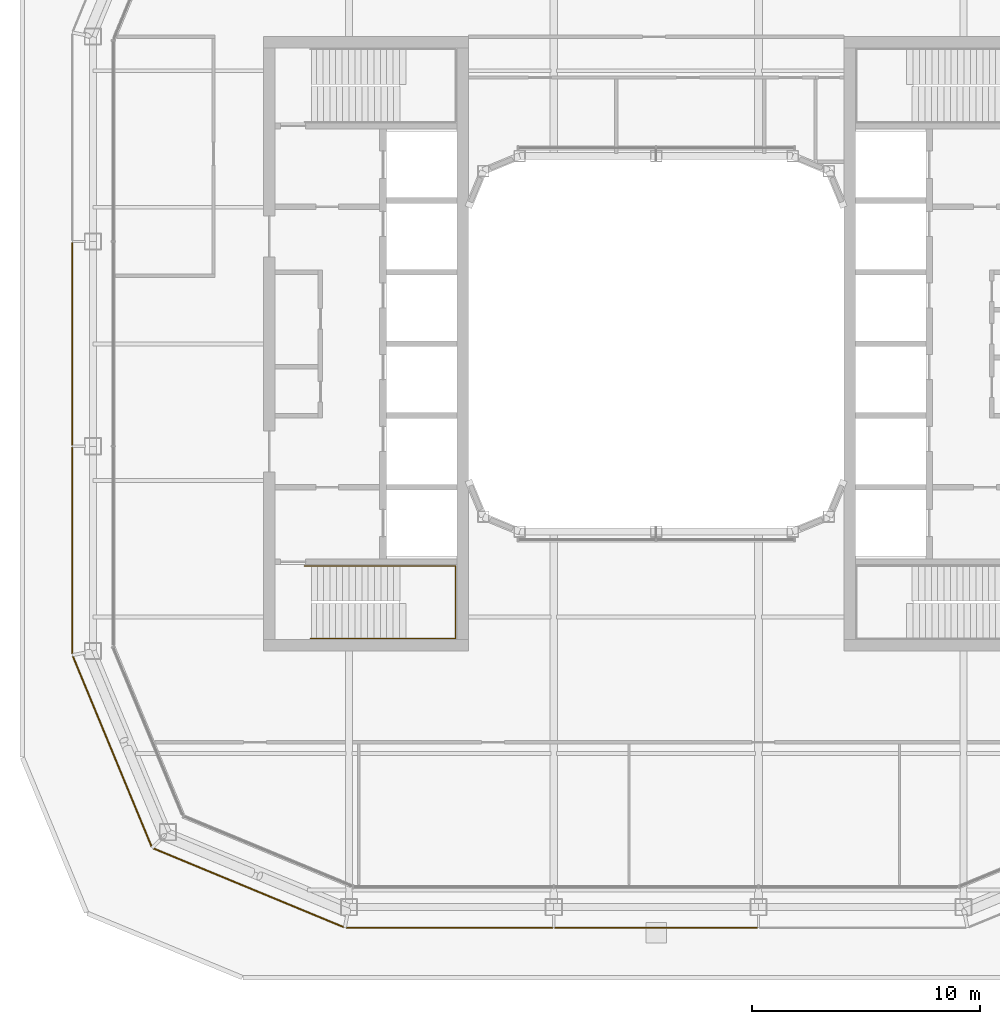
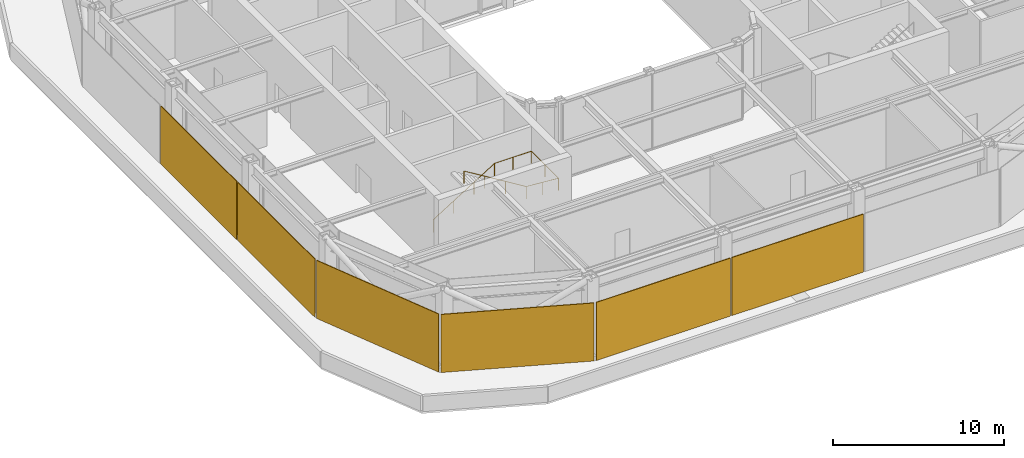
# One storey, part 14 of 17: 6 coverings, 1 railing.
"""IFC4 building model written with IfcOpenShell, lengths in metres."""

from ifc_helpers import new_model, si_unit, direction, frame, origin, origin_2d, place, context, subcontext, project, spatial, rectangle, circle, extrude, material, layer, layer_set, type_object, element, save


model = new_model("IFC4")

# Units and contexts
model_context = context("Model", 3, precision=1e-05, world=origin(), true_north=direction((0.0, 1.0)))
body_context = subcontext(model_context, "Body", "Model", "MODEL_VIEW")
ifc_project = project(units=[si_unit("LENGTHUNIT", "METRE"), si_unit("AREAUNIT", "SQUARE_METRE"), si_unit("VOLUMEUNIT", "CUBIC_METRE"), si_unit("PLANEANGLEUNIT", "RADIAN"), si_unit("MASSUNIT", "GRAM", prefix="KILO")], contexts=[model_context])

# Site, building, storey
site_placement = place(None, origin())
site = spatial("IfcSite", under=ifc_project, at=site_placement, CompositionType="ELEMENT")
building_placement = place(site_placement, origin())
building = spatial("IfcBuilding", under=site, at=building_placement, Name="Siwar Civic Tower", CompositionType="ELEMENT")
storey_placement = place(building_placement, frame((0.0, 0.0, 284.199951171875)))
storey = spatial("IfcBuildingStorey", under=building, at=storey_placement, Name="L61", CompositionType="ELEMENT", Elevation=284.199951171875)

# Railing
ifc_material_1 = material(Name="Stainless steel", Category="steel")
railing_type = type_object("IfcRailingType", Name="CORE-STAIR-HANDRAIL", PredefinedType="HANDRAIL", material=ifc_material_1)
railing_placement = place(storey_placement, frame((-15.449951171875, -9.758056640625, 0.171875)))
element("IfcRailing", 1, at=railing_placement, inside=storey, type_object=railing_type, Name="Stair handrail ST2", PredefinedType="HANDRAIL", context=body_context, shape_type="SweptSolid", body=[
    extrude(circle(Radius=0.02001953125, at=origin_2d()), frame((0.0, 0.0, 0.8798828125), z_axis=(0.849426996612, 0.0, 0.527706146854), x_axis=(0.0, 1.0, 0.0)), (0.0, 0.0, 1.0), 4.885498046875),
    extrude(circle(Radius=0.02001953125, at=origin_2d()), frame((4.14990234375, 0.0, 3.4580078125), z_axis=(1.0, 0.0, 0.0), x_axis=(0.0, 1.0, 0.0)), (0.0, 0.0, 1.0), 2.491943359375),
    extrude(circle(Radius=0.02001953125, at=origin_2d()), frame((6.641845703125, 0.0, 3.4580078125), z_axis=(0.0, -1.0, 0.0), x_axis=(1.0, 0.0, 0.0)), (0.0, 0.0, 1.0), 3.183837890625),
    extrude(circle(Radius=0.02001953125, at=origin_2d()), frame((6.641845703125, -3.183837890625, 3.4580078125), z_axis=(-0.996939735461, 0.0, 0.078173933367), x_axis=(0.0, -1.0, 0.0)), (0.0, 0.0, 1.0), 2.19873046875),
    extrude(circle(Radius=0.02001953125, at=origin_2d()), frame((4.449951171875, -3.183837890625, 3.6298828125), z_axis=(-0.852242915053, 0.0, 0.523146264196), x_axis=(0.0, -1.0, 0.0)), (0.0, 0.0, 1.0), 4.92822265625),
    extrude(circle(Radius=0.02001953125, at=origin_2d()), origin(), (0.0, 0.0, 1.0), 0.85986328125),
    extrude(circle(Radius=0.02001953125, at=origin_2d()), frame((1.38330078125, 0.0, 0.859375)), (0.0, 0.0, 1.0), 0.85986328125),
    extrude(circle(Radius=0.02001953125, at=origin_2d()), frame((2.7666015625, 0.0, 1.71875)), (0.0, 0.0, 1.0), 0.85986328125),
    extrude(circle(Radius=0.02001953125, at=origin_2d()), frame((4.14990234375, 0.0, 2.578125)), (0.0, 0.0, 1.0), 0.85986328125),
    extrude(circle(Radius=0.02001953125, at=origin_2d()), frame((5.39599609375, 0.0, 2.578125)), (0.0, 0.0, 1.0), 0.85986328125),
    extrude(circle(Radius=0.02001953125, at=origin_2d()), frame((6.641845703125, 0.0, 2.578125)), (0.0, 0.0, 1.0), 0.85986328125),
    extrude(circle(Radius=0.02001953125, at=origin_2d()), frame((6.641845703125, -1.591796875, 2.578125)), (0.0, 0.0, 1.0), 0.85986328125),
    extrude(circle(Radius=0.02001953125, at=origin_2d()), frame((6.641845703125, -3.183837890625, 2.578125)), (0.0, 0.0, 1.0), 0.85986328125),
    extrude(circle(Radius=0.02001953125, at=origin_2d()), frame((5.5458984375, -3.183837890625, 2.6640625)), (0.0, 0.0, 1.0), 0.85986328125),
    extrude(circle(Radius=0.02001953125, at=origin_2d()), frame((4.449951171875, -3.183837890625, 2.75)), (0.0, 0.0, 1.0), 0.85986328125),
    extrude(circle(Radius=0.02001953125, at=origin_2d()), frame((3.050048828125, -3.183837890625, 3.609375)), (0.0, 0.0, 1.0), 0.85986328125),
    extrude(circle(Radius=0.02001953125, at=origin_2d()), frame((1.64990234375, -3.183837890625, 4.46875)), (0.0, 0.0, 1.0), 0.85986328125),
    extrude(circle(Radius=0.02001953125, at=origin_2d()), frame((0.25, -3.183837890625, 5.328125)), (0.0, 0.0, 1.0), 0.85986328125),
])

# Coverings
ifc_material_2 = material(Name="Perforated aluminium cassette, pale metal", Category="aluminium")
ifc_layer_1 = layer(ifc_material_2, 0.050048828125)
ifc_layer_set_1 = layer_set([ifc_layer_1], Name="Perforated aluminium cassette, pale metal")
covering_type_1 = type_object("IfcCoveringType", Name="ENV-OUTER SKIN OS-3", PredefinedType="CLADDING", material=ifc_layer_set_1)
covering_1_placement = place(storey_placement, frame((-25.64990234375, 0.0, 0.0), z_axis=(0.0, 0.0, 1.0), x_axis=(0.0, -1.0, 0.0)))
element("IfcCovering", 2, at=covering_1_placement, inside=storey, type_object=covering_type_1, Name="OUTER SKIN OS-3 W 2", PredefinedType="CLADDING", context=body_context, shape_type="SweptSolid", body=[
    extrude(rectangle(XDim=8.89990234375, YDim=0.050048828125, at=origin_2d()), origin(), (0.0, 0.0, 1.0), 4.14990234375),
])
covering_2_placement = place(storey_placement, frame((-25.64990234375, -9.07958984375, 0.0), z_axis=(0.0, 0.0, 1.0), x_axis=(0.0, -1.0, 0.0)))
element("IfcCovering", 3, at=covering_2_placement, inside=storey, type_object=covering_type_1, Name="OUTER SKIN OS-3 W 3", PredefinedType="CLADDING", context=body_context, shape_type="SweptSolid", body=[
    extrude(rectangle(XDim=9.05908203125, YDim=0.050048828125, at=origin_2d()), origin(), (0.0, 0.0, 1.0), 4.14990234375),
])
ifc_material_3 = material(Name="Perforated aluminium cassette, pale metal", Category="aluminium")
ifc_layer_2 = layer(ifc_material_3, 0.054931640625)
ifc_layer_set_2 = layer_set([ifc_layer_2], Name="Perforated aluminium cassette, pale metal")
covering_type_2 = type_object("IfcCoveringType", Name="ENV-OUTER SKIN OS-4", PredefinedType="CLADDING", material=ifc_layer_set_2)
covering_3_placement = place(storey_placement, frame((-9.07958984375, -25.64990234375, 0.0), z_axis=(0.0, 0.0, 1.0), x_axis=(1.0, 0.0, 0.0)))
element("IfcCovering", 4, at=covering_3_placement, inside=storey, type_object=covering_type_2, Name="OUTER SKIN OS-4 S 1", PredefinedType="CLADDING", context=body_context, shape_type="SweptSolid", body=[
    extrude(rectangle(XDim=9.05908203125, YDim=0.054931640625, at=origin_2d()), origin(), (0.0, 0.0, 1.0), 4.14990234375),
])
covering_4_placement = place(storey_placement, frame((0.0, -25.64990234375, 0.0), z_axis=(0.0, 0.0, 1.0), x_axis=(1.0, 0.0, 0.0)))
element("IfcCovering", 5, at=covering_4_placement, inside=storey, type_object=covering_type_2, Name="OUTER SKIN OS-4 S 2", PredefinedType="CLADDING", context=body_context, shape_type="SweptSolid", body=[
    extrude(rectangle(XDim=8.89990234375, YDim=0.054931640625, at=origin_2d()), origin(), (0.0, 0.0, 1.0), 4.14990234375),
])
for number, where, z_axis, x_axis, name in (
    (6, (-23.89697265625, -17.911376953125, 0.0), (0.0, 0.0, 1.0), (0.382683432365, -0.923879532511, 0.0), "OUTER SKIN OS-4 SW1 1"),
    (7, (-17.911376953125, -23.89697265625, 0.0), (0.0, 0.0, 1.0), (0.923879532511, -0.382683432365, 0.0), "OUTER SKIN OS-4 SW2 1"),
):
    element("IfcCovering", number, at=place(storey_placement, frame(where, z_axis=z_axis, x_axis=x_axis)), inside=storey, type_object=covering_type_2, Name=name, PredefinedType="CLADDING", context=body_context, shape_type="SweptSolid", body=[
        extrude(rectangle(XDim=9.022216796875, YDim=0.054931640625, at=origin_2d()), origin(), (0.0, 0.0, 1.0), 4.14990234375),
    ])

save(model, "model.ifc")
